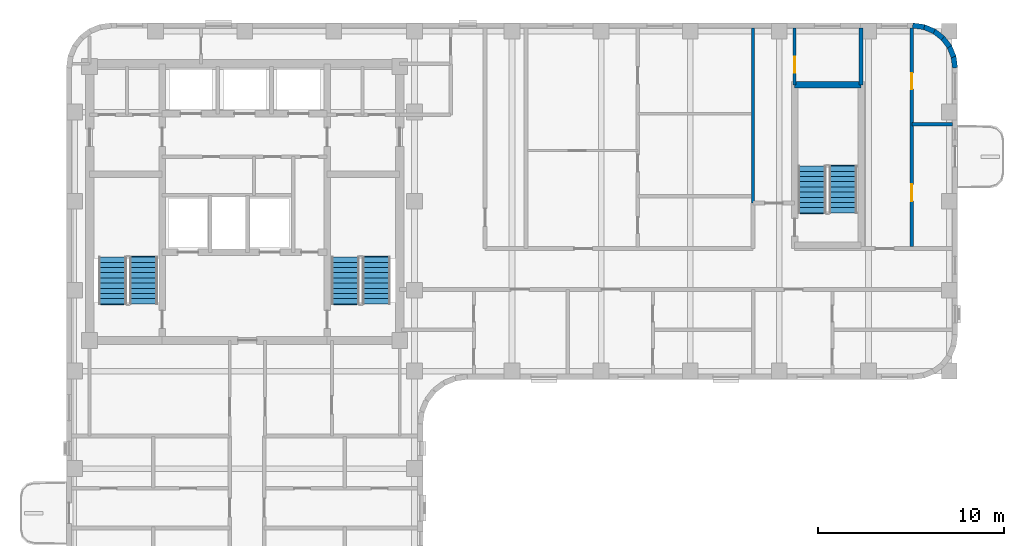
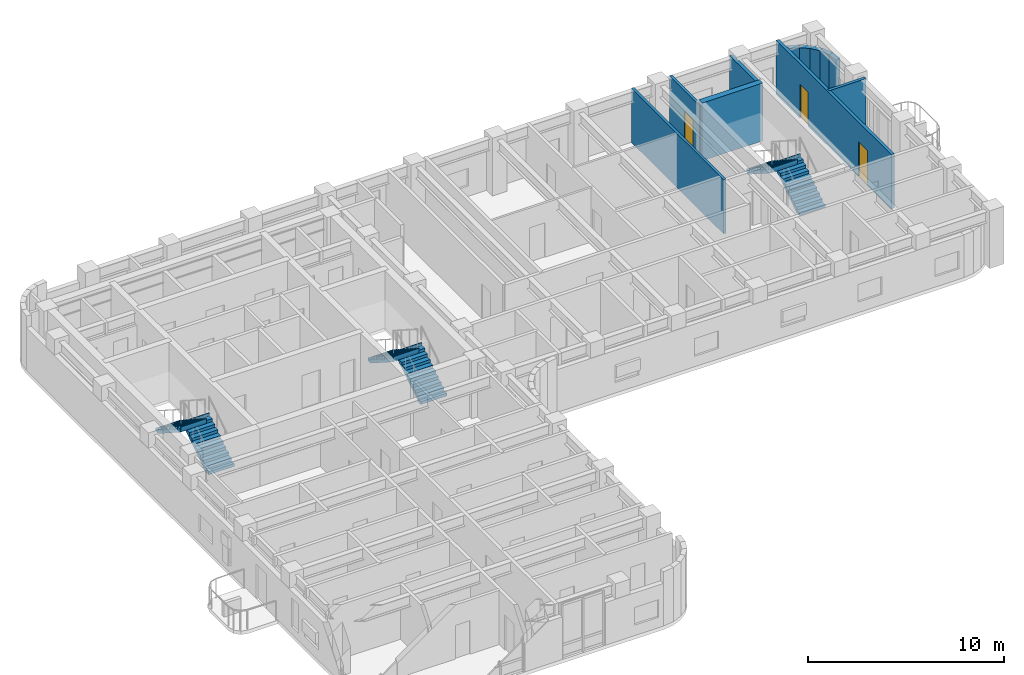
# One storey, part 9 of 12: 12 walls, 6 stair flights, 3 doors, 3 openings, 3 elements without a shape of their own.
"""IFC4 building model written with IfcOpenShell, lengths in metres."""

from ifc_helpers import new_model, si_unit, direction, frame, frame_2d, origin, place, context, subcontext, project, spatial, polyline, rectangle, outline, extrude, material, layer, layer_set, type_object, element, fill, aggregate, save


model = new_model("IFC4")

# Units and contexts
model_context = context("Model", 3, precision=1e-05, world=origin(), true_north=direction((0.0, 1.0)))
body_context = subcontext(model_context, "Body", "Model", "MODEL_VIEW")
ifc_project = project(units=[si_unit("LENGTHUNIT", "METRE"), si_unit("AREAUNIT", "SQUARE_METRE"), si_unit("VOLUMEUNIT", "CUBIC_METRE"), si_unit("PLANEANGLEUNIT", "RADIAN"), si_unit("MASSUNIT", "GRAM", prefix="KILO")], contexts=[model_context])

# Site, building, storey
site_placement = place(None, origin())
site = spatial("IfcSite", under=ifc_project, at=site_placement, CompositionType="ELEMENT")
building_placement = place(site_placement, origin())
building = spatial("IfcBuilding", under=site, at=building_placement, Name="Orvandelia Arch Residences", CompositionType="ELEMENT")
storey_placement = place(building_placement, frame((0.0, 0.0, 214.60009765625)))
storey = spatial("IfcBuildingStorey", under=building, at=storey_placement, Name="L56", CompositionType="ELEMENT", Elevation=214.60009765625)

# Walls
ifc_material_1 = material(Name="Concrete C50/60", Category="concrete")
ifc_layer_1 = layer(ifc_material_1, 0.35009765625, Name="Concrete C50/60", Category="concrete")
ifc_layer_set_1 = layer_set([ifc_layer_1], Name="Concrete C50/60")
wall_type_1 = type_object("IfcWallType", Name="WL-CORE-350", PredefinedType="SHEAR", material=ifc_layer_set_1)
wall_1_placement = place(storey_placement, frame((44.02001953125, 44.659912109375, 0.0), z_axis=(0.0, 0.0, 1.0), x_axis=(1.0, 0.0, 0.0)))
element("IfcWall", 1, at=wall_1_placement, inside=storey, type_object=wall_type_1, Name="East Stair Core Shear Wall L56-N", PredefinedType="SHEAR", context=body_context, shape_type="SweptSolid", body=[
    extrude(rectangle(XDim=3.580078125, YDim=0.35009765625, at=frame_2d((1.7900390625, 0.0))), origin(), (0.0, 0.0, 1.0), 3.599853515625),
])
ifc_material_2 = material(Name="Concrete C40/50", Category="concrete")
ifc_layer_2 = layer(ifc_material_2, 0.199951171875, Name="Concrete C40/50", Category="concrete")
ifc_layer_set_2 = layer_set([ifc_layer_2], Name="Concrete C40/50")
wall_type_2 = type_object("IfcWallType", Name="WL-DEM-200", PredefinedType="SOLIDWALL", material=ifc_layer_set_2)
wall_2_placement = place(storey_placement, frame((47.60009765625, 44.659912109375, 0.0), z_axis=(0.0, 0.0, 1.0), x_axis=(0.0, 1.0, 0.0)))
element("IfcWall", 2, at=wall_2_placement, inside=storey, type_object=wall_type_2, Name="Interior Partition Wall WL-L56-ES-NST3E", PredefinedType="SOLIDWALL", context=body_context, shape_type="SweptSolid", body=[
    extrude(rectangle(XDim=3.06005859375, YDim=0.199951171875, at=frame_2d((1.530029296875, 0.0))), origin(), (0.0, 0.0, 1.0), 3.3798828125),
])
ifc_material_3 = material(Name="Precast concrete C40/50", Category="concrete")
ifc_layer_3 = layer(ifc_material_3, 0.280029296875, Name="Precast concrete C40/50", Category="concrete")
ifc_layer_set_3 = layer_set([ifc_layer_3], Name="Precast concrete C40/50")
wall_type_3 = type_object("IfcWallType", Name="WL-EXT-STONE-280", PredefinedType="STANDARD", material=ifc_layer_set_3)
wall_3_placement = place(storey_placement, frame((50.381591796875, 47.861083984375, 0.0), z_axis=(0.0, 0.0, 1.0), x_axis=(0.991447664465, -0.130504898859, 0.0)))
element("IfcWall", 3, at=wall_3_placement, inside=storey, type_object=wall_type_3, Name="Coral-Limestone Precast Facade Wall L56-008", PredefinedType="STANDARD", context=body_context, shape_type="SweptSolid", body=[
    extrude(rectangle(XDim=0.626708984375, YDim=0.280029296875, at=frame_2d((0.3134765625, 0.0))), origin(), (0.0, 0.0, 1.0), 2.659912109375),
])
for number, where, z_axis, x_axis, name in (
    (4, (50.967529296875, 47.788818359375, 0.0), (0.0, 0.0, 1.0), (0.924031075431, -0.382317370307, 0.0), "Coral-Limestone Precast Facade Wall L56-009"),
    (5, (51.514892578125, 47.5673828125, 0.0), (0.0, 0.0, 1.0), (0.793405610854, -0.608693302629, 0.0), "Coral-Limestone Precast Facade Wall L56-010"),
    (6, (51.986083984375, 47.2119140625, 0.0), (0.0, 0.0, 1.0), (0.608693302629, -0.793405610854, 0.0), "Coral-Limestone Precast Facade Wall L56-011"),
    (7, (52.34912109375, 46.746337890625, 0.0), (0.0, 0.0, 1.0), (0.382650053678, -0.92389335771, 0.0), "Coral-Limestone Precast Facade Wall L56-012"),
    (8, (52.579345703125, 46.202880859375, 0.0), (0.0, 0.0, 1.0), (0.130555323746, -0.9914410257, 0.0), "Coral-Limestone Precast Facade Wall L56-013"),
):
    element("IfcWall", number, at=place(storey_placement, frame(where, z_axis=z_axis, x_axis=x_axis)), inside=storey, type_object=wall_type_3, Name=name, PredefinedType="STANDARD", context=body_context, shape_type="SweptSolid", body=[
        extrude(rectangle(XDim=0.62646484375, YDim=0.280029296875, at=frame_2d((0.313232421875, 0.0))), origin(), (0.0, 0.0, 1.0), 2.659912109375),
    ])
ifc_material_4 = material(Name="Acoustic Gypsum Stud Partition")
ifc_layer_4 = layer(ifc_material_4, 0.14990234375, Name="Acoustic Gypsum Stud Partition")
ifc_layer_set_4 = layer_set([ifc_layer_4], Name="Acoustic Gypsum Stud Partition")
wall_type_4 = type_object("IfcWallType", Name="WL-PART-150", PredefinedType="PARTITIONING", material=ifc_layer_set_4)
wall_4_placement = place(storey_placement, frame((41.780029296875, 38.300048828125, 0.0), z_axis=(0.0, 0.0, 1.0), x_axis=(0.0, 1.0, 0.0)))
element("IfcWall", 9, at=wall_4_placement, inside=storey, type_object=wall_type_4, Name="Interior Partition Wall WL-L56-ES-SPKW", PredefinedType="PARTITIONING", context=body_context, shape_type="SweptSolid", body=[
    extrude(rectangle(XDim=9.419921875, YDim=0.14990234375, at=frame_2d((4.7099609375, 0.0))), origin(), (0.0, 0.0, 1.0), 3.3798828125),
])

# Wall, opening, door
wall_5_placement = place(storey_placement, frame((44.02001953125, 44.659912109375, 0.0), z_axis=(0.0, 0.0, 1.0), x_axis=(0.0, 1.0, 0.0)))
wall_5 = element("IfcWall", 10, at=wall_5_placement, inside=storey, type_object=wall_type_4, Name="Interior Partition Wall WL-L56-ES-NST3W", PredefinedType="PARTITIONING", context=body_context, shape_type="SweptSolid", body=[
    extrude(rectangle(XDim=3.06005859375, YDim=0.14990234375, at=frame_2d((1.530029296875, 0.0))), origin(), (0.0, 0.0, 1.0), 3.3798828125),
])
opening_1_placement = place(wall_5_placement, frame((0.64990234375, 0.0, 0.0)))
opening_1 = element("IfcOpeningElement", 11, at=opening_1_placement, cuts=wall_5, Name="Opening D5", PredefinedType="OPENING", context=body_context, shape_type="SweptSolid", body=[
    extrude(rectangle(XDim=0.8798828125, YDim=2.10009765625, at=frame_2d((0.43994140625, 1.050048828125))), frame((0.0, 0.0849609375, 0.0), z_axis=(0.0, -1.0, 0.0), x_axis=(1.0, 0.0, 0.0)), (0.0, 0.0, 1.0), 0.169921875),
])
ifc_material_5 = material(Name="Painted Galvanised Steel Service Door", Category="steel")
door_type_1 = type_object("IfcDoorType", Name="DR-SRV-880", OperationType="NOTDEFINED", PredefinedType="DOOR", material=ifc_material_5)
door_1_placement = place(opening_1_placement, origin())
door_1 = element("IfcDoor", 12, at=door_1_placement, inside=storey, type_object=door_type_1, Name="DR-L56-ESNST3", OperationType="SINGLE_SWING_RIGHT", OverallHeight=2.10009765625, OverallWidth=0.8798828125, PredefinedType="DOOR", context=body_context, shape_type="SweptSolid", body=[
    extrude(rectangle(XDim=0.8798828125, YDim=2.10009765625, at=frame_2d((0.43994140625, 1.050048828125))), frame((0.0, 0.02490234375, 0.0), z_axis=(0.0, -1.0, 0.0), x_axis=(1.0, 0.0, 0.0)), (0.0, 0.0, 1.0), 0.050048828125),
])
fill(opening_1, door_1)

# Wall, openings, doors
ifc_material_6 = material(Name="Moisture-Resistant Plumbing Wall")
ifc_layer_5 = layer(ifc_material_6, 0.179931640625, Name="Moisture-Resistant Plumbing Wall")
ifc_layer_set_5 = layer_set([ifc_layer_5], Name="Moisture-Resistant Plumbing Wall")
wall_type_5 = type_object("IfcWallType", Name="WL-WET-180", PredefinedType="PLUMBINGWALL", material=ifc_layer_set_5)
wall_6_placement = place(storey_placement, frame((50.333984375, 35.949951171875, 0.0), z_axis=(0.0, 0.0, 1.0), x_axis=(0.0, 1.0, 0.0)))
wall_6 = element("IfcWall", 13, at=wall_6_placement, inside=storey, type_object=wall_type_5, Name="Interior Partition Wall WL-L56-U11-VT", PredefinedType="PLUMBINGWALL", context=body_context, shape_type="SweptSolid", body=[
    extrude(rectangle(XDim=11.77001953125, YDim=0.179931640625, at=frame_2d((5.885009765625, 0.0))), origin(), (0.0, 0.0, 1.0), 3.3798828125),
])
opening_2_placement = place(wall_6_placement, frame((2.453369140625, 0.0, 0.0)))
opening_2 = element("IfcOpeningElement", 14, at=opening_2_placement, cuts=wall_6, Name="Opening D3", PredefinedType="OPENING", context=body_context, shape_type="SweptSolid", body=[
    extrude(rectangle(XDim=0.89990234375, YDim=2.14990234375, at=frame_2d((0.449951171875, 1.074951171875))), frame((0.0, 0.10009765625, 0.0), z_axis=(0.0, -1.0, 0.0), x_axis=(1.0, 0.0, 0.0)), (0.0, 0.0, 1.0), 0.199951171875),
])
opening_3_placement = place(wall_6_placement, frame((8.486572265625, 0.0, 0.0)))
opening_3 = element("IfcOpeningElement", 15, at=opening_3_placement, cuts=wall_6, Name="Opening D4", PredefinedType="OPENING", context=body_context, shape_type="SweptSolid", body=[
    extrude(rectangle(XDim=0.860107421875, YDim=2.10009765625, at=frame_2d((0.43017578125, 1.050048828125))), frame((0.0, 0.10009765625, 0.0), z_axis=(0.0, -1.0, 0.0), x_axis=(1.0, 0.0, 0.0)), (0.0, 0.0, 1.0), 0.199951171875),
])
ifc_material_7 = material(Name="Engineered Timber Flush Door", Category="wood")
door_type_2 = type_object("IfcDoorType", Name="DR-INT-900", OperationType="NOTDEFINED", PredefinedType="DOOR", material=ifc_material_7)
door_2_placement = place(opening_2_placement, origin())
door_2 = element("IfcDoor", 16, at=door_2_placement, inside=storey, type_object=door_type_2, Name="DR-L56-U11-KIT", OperationType="SINGLE_SWING_LEFT", OverallHeight=2.14990234375, OverallWidth=0.89990234375, PredefinedType="DOOR", context=body_context, shape_type="SweptSolid", body=[
    extrude(rectangle(XDim=0.89990234375, YDim=2.14990234375, at=frame_2d((0.449951171875, 1.074951171875))), frame((0.0, 0.02490234375, 0.0), z_axis=(0.0, -1.0, 0.0), x_axis=(1.0, 0.0, 0.0)), (0.0, 0.0, 1.0), 0.050048828125),
])
fill(opening_2, door_2)
ifc_material_8 = material(Name="Moisture-Sealed Timber Bathroom Door", Category="wood")
door_type_3 = type_object("IfcDoorType", Name="DR-WET-900", OperationType="NOTDEFINED", PredefinedType="DOOR", material=ifc_material_8)
door_3_placement = place(opening_3_placement, origin())
door_3 = element("IfcDoor", 17, at=door_3_placement, inside=storey, type_object=door_type_3, Name="DR-L56-U11-BTH", OperationType="SINGLE_SWING_RIGHT", OverallHeight=2.10009765625, OverallWidth=0.860107421875, PredefinedType="DOOR", context=body_context, shape_type="SweptSolid", body=[
    extrude(rectangle(XDim=0.860107421875, YDim=2.10009765625, at=frame_2d((0.43017578125, 1.050048828125))), frame((0.0, 0.02490234375, 0.0), z_axis=(0.0, -1.0, 0.0), x_axis=(1.0, 0.0, 0.0)), (0.0, 0.0, 1.0), 0.050048828125),
])
fill(opening_3, door_3)

# Wall
wall_7_placement = place(storey_placement, frame((50.333984375, 42.552001953125, 0.0), z_axis=(0.0, 0.0, 1.0), x_axis=(1.0, 0.0, 0.0)))
element("IfcWall", 18, at=wall_7_placement, inside=storey, type_object=wall_type_5, Name="Interior Partition Wall WL-L56-U11-H1", PredefinedType="PLUMBINGWALL", context=body_context, shape_type="SweptSolid", body=[
    extrude(rectangle(XDim=2.18603515625, YDim=0.179931640625, at=frame_2d((1.093017578125, 0.0))), origin(), (0.0, 0.0, 1.0), 3.3798828125),
])

# Stair, stair flights
stair_type = type_object("IfcStairType", Name="STAIR-RC-DOGLEG", PredefinedType="HALF_TURN_STAIR", material=ifc_material_2)
stair_1_placement = place(storey_placement, origin())
stair_1 = element("IfcStair", 19, at=stair_1_placement, inside=storey, type_object=stair_type, Name="L56 Protected Exit Stair ST-1", PredefinedType="HALF_TURN_STAIR")
stair_flight_type = type_object("IfcStairFlightType", Name="STFLT-RC-1520", PredefinedType="STRAIGHT", material=ifc_material_2)
stair_flight_1_placement = place(storey_placement, frame((8.9599609375, 32.8701171875, 0.0), z_axis=(0.0, 0.0, 1.0), x_axis=(0.0, 1.0, 0.0)))
stair_flight_1 = element("IfcStairFlight", 20, at=stair_flight_1_placement, type_object=stair_flight_type, Name="ST-1 flight 1", NumberOfRisers=10, NumberOfTreads=9, PredefinedType="STRAIGHT", RiserHeight=0.18, TreadLength=0.28, context=body_context, shape_type="SweptSolid", body=[
    extrude(outline(polyline([(0.0, 0.0), (0.0, 0.179931640625), (0.280029296875, 0.179931640625), (0.280029296875, 0.360107421875), (0.56005859375, 0.360107421875), (0.56005859375, 0.5400390625), (0.840087890625, 0.5400390625), (0.840087890625, 0.719970703125), (1.1201171875, 0.719970703125), (1.1201171875, 0.89990234375), (1.39990234375, 0.89990234375), (1.39990234375, 1.080078125), (1.679931640625, 1.080078125), (1.679931640625, 1.260009765625), (1.9599609375, 1.260009765625), (1.9599609375, 1.43994140625), (2.239990234375, 1.43994140625), (2.239990234375, 1.6201171875), (2.52001953125, 1.6201171875), (2.52001953125, 1.800048828125), (2.580078125, 1.800048828125), (2.580078125, 1.6201171875), (2.52001953125, 1.44189453125), (0.277099609375, 0.0), (0.0, 0.0)])), frame((0.0, 0.760009765625, 0.0), z_axis=(0.0, -1.0, 0.0), x_axis=(1.0, 0.0, 0.0)), (0.0, 0.0, 1.0), 1.52001953125),
])
stair_flight_2_placement = place(storey_placement, frame((7.2900390625, 35.389892578125, 1.7998046875), z_axis=(0.0, 0.0, 1.0), x_axis=(0.0, -1.0, 0.0)))
stair_flight_2 = element("IfcStairFlight", 21, at=stair_flight_2_placement, type_object=stair_flight_type, Name="ST-1 flight 2", NumberOfRisers=10, NumberOfTreads=9, PredefinedType="STRAIGHT", RiserHeight=0.18, TreadLength=0.28, context=body_context, shape_type="SweptSolid", body=[
    extrude(outline(polyline([(0.0, 0.0), (0.0, 0.179931640625), (0.280029296875, 0.179931640625), (0.280029296875, 0.360107421875), (0.56005859375, 0.360107421875), (0.56005859375, 0.5400390625), (0.840087890625, 0.5400390625), (0.840087890625, 0.719970703125), (1.1201171875, 0.719970703125), (1.1201171875, 0.89990234375), (1.39990234375, 0.89990234375), (1.39990234375, 1.080078125), (1.679931640625, 1.080078125), (1.679931640625, 1.260009765625), (1.9599609375, 1.260009765625), (1.9599609375, 1.43994140625), (2.239990234375, 1.43994140625), (2.239990234375, 1.6201171875), (2.52001953125, 1.6201171875), (2.52001953125, 1.800048828125), (2.580078125, 1.800048828125), (2.580078125, 1.6201171875), (2.52001953125, 1.44189453125), (0.277099609375, 0.0), (0.0, 0.0)])), frame((0.0, 0.760009765625, 0.0), z_axis=(0.0, -1.0, 0.0), x_axis=(1.0, 0.0, 0.0)), (0.0, 0.0, 1.0), 1.52001953125),
])
aggregate(stair_1, [stair_flight_1, stair_flight_2])

stair_2_placement = place(storey_placement, origin())
stair_2 = element("IfcStair", 22, at=stair_2_placement, inside=storey, type_object=stair_type, Name="L56 Protected Exit Stair ST-2", PredefinedType="HALF_TURN_STAIR")
stair_flight_3_placement = place(storey_placement, frame((21.489990234375, 32.8701171875, 0.0), z_axis=(0.0, 0.0, 1.0), x_axis=(0.0, 1.0, 0.0)))
stair_flight_3 = element("IfcStairFlight", 23, at=stair_flight_3_placement, type_object=stair_flight_type, Name="ST-2 flight 1", NumberOfRisers=10, NumberOfTreads=9, PredefinedType="STRAIGHT", RiserHeight=0.18, TreadLength=0.28, context=body_context, shape_type="SweptSolid", body=[
    extrude(outline(polyline([(0.0, 0.0), (0.0, 0.179931640625), (0.280029296875, 0.179931640625), (0.280029296875, 0.360107421875), (0.56005859375, 0.360107421875), (0.56005859375, 0.5400390625), (0.840087890625, 0.5400390625), (0.840087890625, 0.719970703125), (1.1201171875, 0.719970703125), (1.1201171875, 0.89990234375), (1.39990234375, 0.89990234375), (1.39990234375, 1.080078125), (1.679931640625, 1.080078125), (1.679931640625, 1.260009765625), (1.9599609375, 1.260009765625), (1.9599609375, 1.43994140625), (2.239990234375, 1.43994140625), (2.239990234375, 1.6201171875), (2.52001953125, 1.6201171875), (2.52001953125, 1.800048828125), (2.580078125, 1.800048828125), (2.580078125, 1.6201171875), (2.52001953125, 1.44189453125), (0.277099609375, 0.0), (0.0, 0.0)])), frame((0.0, 0.760009765625, 0.0), z_axis=(0.0, -1.0, 0.0), x_axis=(1.0, 0.0, 0.0)), (0.0, 0.0, 1.0), 1.52001953125),
])
stair_flight_4_placement = place(storey_placement, frame((19.820068359375, 35.389892578125, 1.7998046875), z_axis=(0.0, 0.0, 1.0), x_axis=(0.0, -1.0, 0.0)))
stair_flight_4 = element("IfcStairFlight", 24, at=stair_flight_4_placement, type_object=stair_flight_type, Name="ST-2 flight 2", NumberOfRisers=10, NumberOfTreads=9, PredefinedType="STRAIGHT", RiserHeight=0.18, TreadLength=0.28, context=body_context, shape_type="SweptSolid", body=[
    extrude(outline(polyline([(0.0, 0.0), (0.0, 0.179931640625), (0.280029296875, 0.179931640625), (0.280029296875, 0.360107421875), (0.56005859375, 0.360107421875), (0.56005859375, 0.5400390625), (0.840087890625, 0.5400390625), (0.840087890625, 0.719970703125), (1.1201171875, 0.719970703125), (1.1201171875, 0.89990234375), (1.39990234375, 0.89990234375), (1.39990234375, 1.080078125), (1.679931640625, 1.080078125), (1.679931640625, 1.260009765625), (1.9599609375, 1.260009765625), (1.9599609375, 1.43994140625), (2.239990234375, 1.43994140625), (2.239990234375, 1.6201171875), (2.52001953125, 1.6201171875), (2.52001953125, 1.800048828125), (2.580078125, 1.800048828125), (2.580078125, 1.6201171875), (2.52001953125, 1.44189453125), (0.277099609375, 0.0), (0.0, 0.0)])), frame((0.0, 0.760009765625, 0.0), z_axis=(0.0, -1.0, 0.0), x_axis=(1.0, 0.0, 0.0)), (0.0, 0.0, 1.0), 1.52001953125),
])
aggregate(stair_2, [stair_flight_3, stair_flight_4])

stair_3_placement = place(storey_placement, origin())
stair_3 = element("IfcStair", 25, at=stair_3_placement, inside=storey, type_object=stair_type, Name="L56 East Wing Exit Stair ST-3", PredefinedType="HALF_TURN_STAIR")
stair_flight_5_placement = place(storey_placement, frame((46.639892578125, 37.77001953125, 0.0), z_axis=(0.0, 0.0, 1.0), x_axis=(0.0, 1.0, 0.0)))
stair_flight_5 = element("IfcStairFlight", 26, at=stair_flight_5_placement, type_object=stair_flight_type, Name="ST-3 flight 1", NumberOfRisers=10, NumberOfTreads=9, PredefinedType="STRAIGHT", RiserHeight=0.18, TreadLength=0.28, context=body_context, shape_type="SweptSolid", body=[
    extrude(outline(polyline([(0.0, 0.0), (0.0, 0.179931640625), (0.280029296875, 0.179931640625), (0.280029296875, 0.360107421875), (0.56005859375, 0.360107421875), (0.56005859375, 0.5400390625), (0.840087890625, 0.5400390625), (0.840087890625, 0.719970703125), (1.1201171875, 0.719970703125), (1.1201171875, 0.89990234375), (1.39990234375, 0.89990234375), (1.39990234375, 1.080078125), (1.679931640625, 1.080078125), (1.679931640625, 1.260009765625), (1.9599609375, 1.260009765625), (1.9599609375, 1.43994140625), (2.239990234375, 1.43994140625), (2.239990234375, 1.6201171875), (2.52001953125, 1.6201171875), (2.52001953125, 1.800048828125), (2.580078125, 1.800048828125), (2.580078125, 1.6201171875), (2.52001953125, 1.44189453125), (0.277099609375, 0.0), (0.0, 0.0)])), frame((0.0, 0.760009765625, 0.0), z_axis=(0.0, -1.0, 0.0), x_axis=(1.0, 0.0, 0.0)), (0.0, 0.0, 1.0), 1.52001953125),
])
stair_flight_6_placement = place(storey_placement, frame((44.969970703125, 40.2900390625, 1.7998046875), z_axis=(0.0, 0.0, 1.0), x_axis=(0.0, -1.0, 0.0)))
stair_flight_6 = element("IfcStairFlight", 27, at=stair_flight_6_placement, type_object=stair_flight_type, Name="ST-3 flight 2", NumberOfRisers=10, NumberOfTreads=9, PredefinedType="STRAIGHT", RiserHeight=0.18, TreadLength=0.28, context=body_context, shape_type="SweptSolid", body=[
    extrude(outline(polyline([(0.0, 0.0), (0.0, 0.179931640625), (0.280029296875, 0.179931640625), (0.280029296875, 0.360107421875), (0.56005859375, 0.360107421875), (0.56005859375, 0.5400390625), (0.840087890625, 0.5400390625), (0.840087890625, 0.719970703125), (1.1201171875, 0.719970703125), (1.1201171875, 0.89990234375), (1.39990234375, 0.89990234375), (1.39990234375, 1.080078125), (1.679931640625, 1.080078125), (1.679931640625, 1.260009765625), (1.9599609375, 1.260009765625), (1.9599609375, 1.43994140625), (2.239990234375, 1.43994140625), (2.239990234375, 1.6201171875), (2.52001953125, 1.6201171875), (2.52001953125, 1.800048828125), (2.580078125, 1.800048828125), (2.580078125, 1.6201171875), (2.52001953125, 1.44189453125), (0.277099609375, 0.0), (0.0, 0.0)])), frame((0.0, 0.760009765625, 0.0), z_axis=(0.0, -1.0, 0.0), x_axis=(1.0, 0.0, 0.0)), (0.0, 0.0, 1.0), 1.52001953125),
])
aggregate(stair_3, [stair_flight_5, stair_flight_6])

save(model, "model.ifc")
